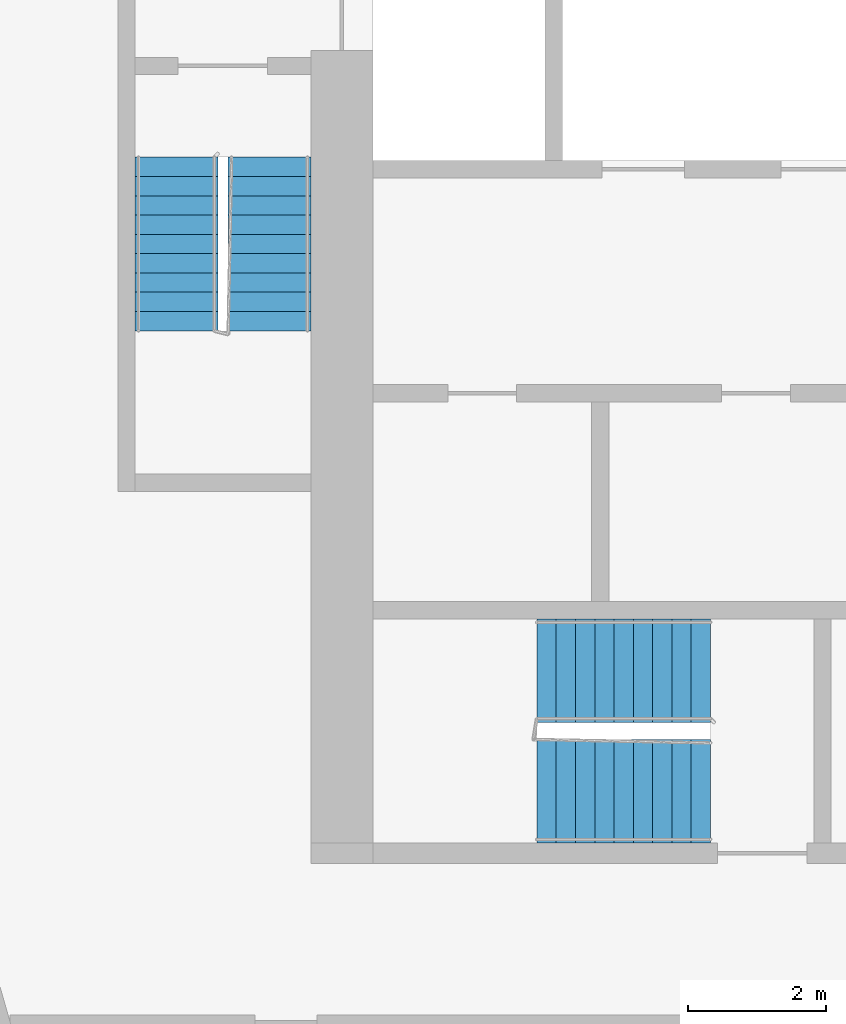
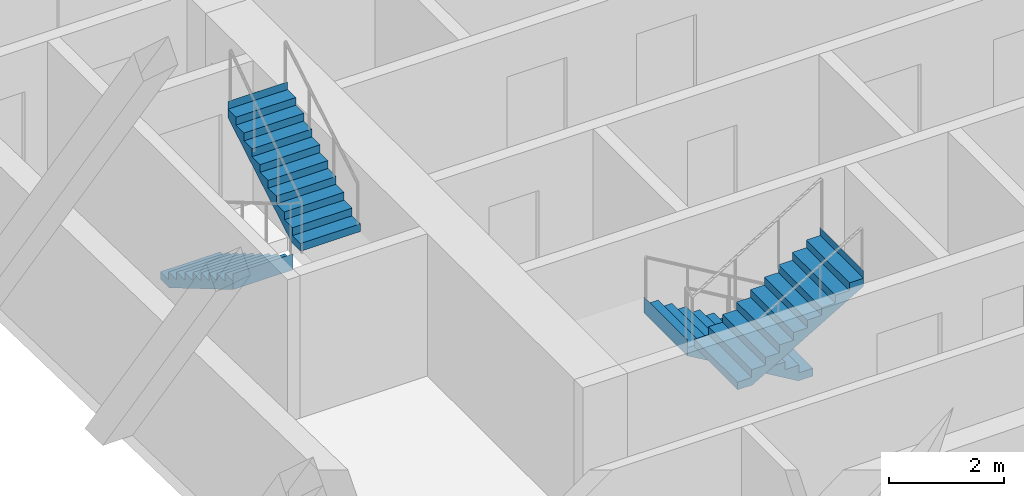
# One storey, part 8 of 12: 4 stair flights, 2 elements without a shape of their own.
"""IFC4 building model written with IfcOpenShell, lengths in metres."""

from ifc_helpers import new_model, si_unit, direction, frame, origin, place, context, subcontext, project, spatial, faceted_brep, material, type_object, element, aggregate, save


model = new_model("IFC4")

# Units and contexts
model_context = context("Model", 3, precision=1e-05, world=origin(), true_north=direction((0.0, 1.0)))
body_context = subcontext(model_context, "Body", "Model", "MODEL_VIEW")
ifc_project = project(units=[si_unit("LENGTHUNIT", "METRE"), si_unit("AREAUNIT", "SQUARE_METRE"), si_unit("VOLUMEUNIT", "CUBIC_METRE"), si_unit("PLANEANGLEUNIT", "RADIAN"), si_unit("MASSUNIT", "GRAM", prefix="KILO")], contexts=[model_context])

# Site, building, storey
site_placement = place(None, origin())
site = spatial("IfcSite", under=ifc_project, at=site_placement, CompositionType="ELEMENT")
building_placement = place(site_placement, origin())
building = spatial("IfcBuilding", under=site, at=building_placement, Name="Kajstack Hotel Tower", CompositionType="ELEMENT")
storey_placement = place(building_placement, frame((0.0, 0.0, 247.39990234375)))
storey = spatial("IfcBuildingStorey", under=building, at=storey_placement, Name="L61", CompositionType="ELEMENT", Elevation=247.39990234375)

# Stair, stair flights
ifc_material = material(Name="Concrete C40/50", Category="concrete")
stair_type_1 = type_object("IfcStairType", Name="Exit stair 1200", PredefinedType="HALF_TURN_STAIR", material=ifc_material)
stair_1_placement = place(storey_placement, origin())
stair_1 = element("IfcStair", 1, at=stair_1_placement, inside=storey, type_object=stair_type_1, Name="L61 stair W1", PredefinedType="HALF_TURN_STAIR")
stair_flight_type_1 = type_object("IfcStairFlightType", Name="Exit stair flight 1200", PredefinedType="STRAIGHT", material=ifc_material)
stair_flight_1_placement = place(storey_placement, frame((-33.449951171875, -5.25, 0.0), z_axis=(0.0, 0.0, 1.0), x_axis=(0.0, -1.0, 0.0)))
stair_flight_1 = element("IfcStairFlight", 2, at=stair_flight_1_placement, type_object=stair_flight_type_1, Name="W1 flight 1", NumberOfRisers=10, NumberOfTreads=9, PredefinedType="STRAIGHT", RiserHeight=0.165, TreadLength=0.28, context=body_context, shape_type="Brep", body=[
    faceted_brep([(0.295654296875, -0.60009765625, 0.0), (2.5205078125, -0.60009765625, 1.31103515625), (2.5205078125, -0.60009765625, 1.64990234375), (2.52001953125, -0.60009765625, 1.64990234375), (2.52001953125, -0.60009765625, 1.485107421875), (2.239990234375, -0.60009765625, 1.485107421875), (2.239990234375, -0.60009765625, 1.320068359375), (1.9599609375, -0.60009765625, 1.320068359375), (1.9599609375, -0.60009765625, 1.155029296875), (1.679931640625, -0.60009765625, 1.155029296875), (1.679931640625, -0.60009765625, 0.989990234375), (1.39990234375, -0.60009765625, 0.989990234375), (1.39990234375, -0.60009765625, 0.824951171875), (1.1201171875, -0.60009765625, 0.824951171875), (1.1201171875, -0.60009765625, 0.659912109375), (0.840087890625, -0.60009765625, 0.659912109375), (0.840087890625, -0.60009765625, 0.4951171875), (0.56005859375, -0.60009765625, 0.4951171875), (0.56005859375, -0.60009765625, 0.330078125), (0.280029296875, -0.60009765625, 0.330078125), (0.280029296875, -0.60009765625, 0.1650390625), (-0.00048828125, -0.60009765625, 0.1650390625), (-0.00048828125, -0.60009765625, 0.0), (-0.00048828125, 0.60009765625, 0.0), (-0.00048828125, 0.60009765625, 0.1650390625), (0.280029296875, 0.60009765625, 0.1650390625), (0.280029296875, 0.60009765625, 0.330078125), (0.56005859375, 0.60009765625, 0.330078125), (0.56005859375, 0.60009765625, 0.4951171875), (0.840087890625, 0.60009765625, 0.4951171875), (0.840087890625, 0.60009765625, 0.659912109375), (1.1201171875, 0.60009765625, 0.659912109375), (1.1201171875, 0.60009765625, 0.824951171875), (1.39990234375, 0.60009765625, 0.824951171875), (1.39990234375, 0.60009765625, 0.989990234375), (1.679931640625, 0.60009765625, 0.989990234375), (1.679931640625, 0.60009765625, 1.155029296875), (1.9599609375, 0.60009765625, 1.155029296875), (1.9599609375, 0.60009765625, 1.320068359375), (2.239990234375, 0.60009765625, 1.320068359375), (2.239990234375, 0.60009765625, 1.485107421875), (2.52001953125, 0.60009765625, 1.485107421875), (2.52001953125, 0.60009765625, 1.64990234375), (2.5205078125, 0.60009765625, 1.64990234375), (2.5205078125, 0.60009765625, 1.31103515625), (0.295654296875, 0.60009765625, 0.0), (-0.00048828125, -0.300048828125, 0.1650390625), (-0.00048828125, 0.0, 0.1650390625), (-0.00048828125, 0.300048828125, 0.1650390625), (-0.00048828125, 0.300048828125, 0.0), (-0.00048828125, 0.0, 0.0), (-0.00048828125, -0.300048828125, 0.0), (0.280029296875, -0.300048828125, 0.1650390625), (0.280029296875, 0.0, 0.1650390625), (0.280029296875, 0.300048828125, 0.1650390625), (0.280029296875, -0.300048828125, 0.330078125), (0.280029296875, 0.0, 0.330078125), (0.280029296875, 0.300048828125, 0.330078125), (0.56005859375, -0.300048828125, 0.330078125), (0.56005859375, 0.0, 0.330078125), (0.56005859375, 0.300048828125, 0.330078125), (0.56005859375, -0.300048828125, 0.4951171875), (0.56005859375, 0.0, 0.4951171875), (0.56005859375, 0.300048828125, 0.4951171875), (0.840087890625, -0.300048828125, 0.4951171875), (0.840087890625, 0.0, 0.4951171875), (0.840087890625, 0.300048828125, 0.4951171875), (0.840087890625, -0.300048828125, 0.659912109375), (0.840087890625, 0.0, 0.659912109375), (0.840087890625, 0.300048828125, 0.659912109375), (1.1201171875, -0.300048828125, 0.659912109375), (1.1201171875, 0.0, 0.659912109375), (1.1201171875, 0.300048828125, 0.659912109375), (1.1201171875, -0.300048828125, 0.824951171875), (1.1201171875, 0.0, 0.824951171875), (1.1201171875, 0.300048828125, 0.824951171875), (1.39990234375, -0.300048828125, 0.824951171875), (1.39990234375, 0.0, 0.824951171875), (1.39990234375, 0.300048828125, 0.824951171875), (1.39990234375, -0.300048828125, 0.989990234375), (1.39990234375, 0.0, 0.989990234375), (1.39990234375, 0.300048828125, 0.989990234375), (1.679931640625, -0.300048828125, 0.989990234375), (1.679931640625, 0.0, 0.989990234375), (1.679931640625, 0.300048828125, 0.989990234375), (1.679931640625, -0.300048828125, 1.155029296875), (1.679931640625, 0.0, 1.155029296875), (1.679931640625, 0.300048828125, 1.155029296875), (1.9599609375, -0.300048828125, 1.155029296875), (1.9599609375, 0.0, 1.155029296875), (1.9599609375, 0.300048828125, 1.155029296875), (1.9599609375, -0.300048828125, 1.320068359375), (1.9599609375, 0.0, 1.320068359375), (1.9599609375, 0.300048828125, 1.320068359375), (2.239990234375, -0.300048828125, 1.320068359375), (2.239990234375, 0.0, 1.320068359375), (2.239990234375, 0.300048828125, 1.320068359375), (2.239990234375, -0.300048828125, 1.485107421875), (2.239990234375, 0.0, 1.485107421875), (2.239990234375, 0.300048828125, 1.485107421875), (2.52001953125, -0.300048828125, 1.485107421875), (2.52001953125, 0.0, 1.485107421875), (2.52001953125, 0.300048828125, 1.485107421875), (2.52001953125, -0.300048828125, 1.64990234375), (2.52001953125, 0.0, 1.64990234375), (2.52001953125, 0.300048828125, 1.64990234375), (2.5205078125, -0.300048828125, 1.64990234375), (2.5205078125, 0.0, 1.64990234375), (2.5205078125, 0.300048828125, 1.64990234375), (2.5205078125, -0.300048828125, 1.31103515625), (2.5205078125, 0.0, 1.31103515625), (2.5205078125, 0.300048828125, 1.31103515625), (0.295654296875, -0.300048828125, 0.0), (0.295654296875, 0.0, 0.0), (0.295654296875, 0.300048828125, 0.0)], [[[0, 1, 2, 3, 4, 5, 6, 7, 8, 9, 10, 11, 12, 13, 14, 15, 16, 17, 18, 19, 20, 21, 22]], [[23, 24, 25, 26, 27, 28, 29, 30, 31, 32, 33, 34, 35, 36, 37, 38, 39, 40, 41, 42, 43, 44, 45]], [[21, 46, 47, 48, 24, 23, 49, 50, 51, 22]], [[20, 52, 53, 54, 25, 24, 48, 47, 46, 21]], [[19, 55, 56, 57, 26, 25, 54, 53, 52, 20]], [[18, 58, 59, 60, 27, 26, 57, 56, 55, 19]], [[17, 61, 62, 63, 28, 27, 60, 59, 58, 18]], [[16, 64, 65, 66, 29, 28, 63, 62, 61, 17]], [[15, 67, 68, 69, 30, 29, 66, 65, 64, 16]], [[14, 70, 71, 72, 31, 30, 69, 68, 67, 15]], [[13, 73, 74, 75, 32, 31, 72, 71, 70, 14]], [[12, 76, 77, 78, 33, 32, 75, 74, 73, 13]], [[11, 79, 80, 81, 34, 33, 78, 77, 76, 12]], [[10, 82, 83, 84, 35, 34, 81, 80, 79, 11]], [[9, 85, 86, 87, 36, 35, 84, 83, 82, 10]], [[8, 88, 89, 90, 37, 36, 87, 86, 85, 9]], [[7, 91, 92, 93, 38, 37, 90, 89, 88, 8]], [[6, 94, 95, 96, 39, 38, 93, 92, 91, 7]], [[5, 97, 98, 99, 40, 39, 96, 95, 94, 6]], [[4, 100, 101, 102, 41, 40, 99, 98, 97, 5]], [[3, 103, 104, 105, 42, 41, 102, 101, 100, 4]], [[2, 106, 107, 108, 43, 42, 105, 104, 103, 3]], [[1, 109, 110, 111, 44, 43, 108, 107, 106, 2]], [[0, 112, 113, 114, 45, 44, 111, 110, 109, 1]], [[22, 51, 50, 49, 23, 45, 114, 113, 112, 0]]]),
])
stair_flight_2_placement = place(storey_placement, frame((-32.10009765625, -7.77001953125, 1.650146484375), z_axis=(0.0, 0.0, 1.0), x_axis=(0.0, 1.0, 0.0)))
stair_flight_2 = element("IfcStairFlight", 3, at=stair_flight_2_placement, type_object=stair_flight_type_1, Name="W1 flight 2", NumberOfRisers=10, NumberOfTreads=9, PredefinedType="STRAIGHT", RiserHeight=0.165, TreadLength=0.28, context=body_context, shape_type="Brep", body=[
    faceted_brep([(0.295654296875, -0.60009765625, 0.0), (2.5205078125, -0.60009765625, 1.31103515625), (2.5205078125, -0.60009765625, 1.64990234375), (2.52001953125, -0.60009765625, 1.64990234375), (2.52001953125, -0.60009765625, 1.485107421875), (2.239990234375, -0.60009765625, 1.485107421875), (2.239990234375, -0.60009765625, 1.320068359375), (1.9599609375, -0.60009765625, 1.320068359375), (1.9599609375, -0.60009765625, 1.155029296875), (1.679931640625, -0.60009765625, 1.155029296875), (1.679931640625, -0.60009765625, 0.989990234375), (1.39990234375, -0.60009765625, 0.989990234375), (1.39990234375, -0.60009765625, 0.824951171875), (1.1201171875, -0.60009765625, 0.824951171875), (1.1201171875, -0.60009765625, 0.659912109375), (0.840087890625, -0.60009765625, 0.659912109375), (0.840087890625, -0.60009765625, 0.4951171875), (0.56005859375, -0.60009765625, 0.4951171875), (0.56005859375, -0.60009765625, 0.330078125), (0.280029296875, -0.60009765625, 0.330078125), (0.280029296875, -0.60009765625, 0.1650390625), (-0.00048828125, -0.60009765625, 0.1650390625), (-0.00048828125, -0.60009765625, 0.0), (-0.00048828125, 0.60009765625, 0.0), (-0.00048828125, 0.60009765625, 0.1650390625), (0.280029296875, 0.60009765625, 0.1650390625), (0.280029296875, 0.60009765625, 0.330078125), (0.56005859375, 0.60009765625, 0.330078125), (0.56005859375, 0.60009765625, 0.4951171875), (0.840087890625, 0.60009765625, 0.4951171875), (0.840087890625, 0.60009765625, 0.659912109375), (1.1201171875, 0.60009765625, 0.659912109375), (1.1201171875, 0.60009765625, 0.824951171875), (1.39990234375, 0.60009765625, 0.824951171875), (1.39990234375, 0.60009765625, 0.989990234375), (1.679931640625, 0.60009765625, 0.989990234375), (1.679931640625, 0.60009765625, 1.155029296875), (1.9599609375, 0.60009765625, 1.155029296875), (1.9599609375, 0.60009765625, 1.320068359375), (2.239990234375, 0.60009765625, 1.320068359375), (2.239990234375, 0.60009765625, 1.485107421875), (2.52001953125, 0.60009765625, 1.485107421875), (2.52001953125, 0.60009765625, 1.64990234375), (2.5205078125, 0.60009765625, 1.64990234375), (2.5205078125, 0.60009765625, 1.31103515625), (0.295654296875, 0.60009765625, 0.0), (-0.00048828125, -0.300048828125, 0.1650390625), (-0.00048828125, 0.0, 0.1650390625), (-0.00048828125, 0.300048828125, 0.1650390625), (-0.00048828125, 0.300048828125, 0.0), (-0.00048828125, 0.0, 0.0), (-0.00048828125, -0.300048828125, 0.0), (0.280029296875, -0.300048828125, 0.1650390625), (0.280029296875, 0.0, 0.1650390625), (0.280029296875, 0.300048828125, 0.1650390625), (0.280029296875, -0.300048828125, 0.330078125), (0.280029296875, 0.0, 0.330078125), (0.280029296875, 0.300048828125, 0.330078125), (0.56005859375, -0.300048828125, 0.330078125), (0.56005859375, 0.0, 0.330078125), (0.56005859375, 0.300048828125, 0.330078125), (0.56005859375, -0.300048828125, 0.4951171875), (0.56005859375, 0.0, 0.4951171875), (0.56005859375, 0.300048828125, 0.4951171875), (0.840087890625, -0.300048828125, 0.4951171875), (0.840087890625, 0.0, 0.4951171875), (0.840087890625, 0.300048828125, 0.4951171875), (0.840087890625, -0.300048828125, 0.659912109375), (0.840087890625, 0.0, 0.659912109375), (0.840087890625, 0.300048828125, 0.659912109375), (1.1201171875, -0.300048828125, 0.659912109375), (1.1201171875, 0.0, 0.659912109375), (1.1201171875, 0.300048828125, 0.659912109375), (1.1201171875, -0.300048828125, 0.824951171875), (1.1201171875, 0.0, 0.824951171875), (1.1201171875, 0.300048828125, 0.824951171875), (1.39990234375, -0.300048828125, 0.824951171875), (1.39990234375, 0.0, 0.824951171875), (1.39990234375, 0.300048828125, 0.824951171875), (1.39990234375, -0.300048828125, 0.989990234375), (1.39990234375, 0.0, 0.989990234375), (1.39990234375, 0.300048828125, 0.989990234375), (1.679931640625, -0.300048828125, 0.989990234375), (1.679931640625, 0.0, 0.989990234375), (1.679931640625, 0.300048828125, 0.989990234375), (1.679931640625, -0.300048828125, 1.155029296875), (1.679931640625, 0.0, 1.155029296875), (1.679931640625, 0.300048828125, 1.155029296875), (1.9599609375, -0.300048828125, 1.155029296875), (1.9599609375, 0.0, 1.155029296875), (1.9599609375, 0.300048828125, 1.155029296875), (1.9599609375, -0.300048828125, 1.320068359375), (1.9599609375, 0.0, 1.320068359375), (1.9599609375, 0.300048828125, 1.320068359375), (2.239990234375, -0.300048828125, 1.320068359375), (2.239990234375, 0.0, 1.320068359375), (2.239990234375, 0.300048828125, 1.320068359375), (2.239990234375, -0.300048828125, 1.485107421875), (2.239990234375, 0.0, 1.485107421875), (2.239990234375, 0.300048828125, 1.485107421875), (2.52001953125, -0.300048828125, 1.485107421875), (2.52001953125, 0.0, 1.485107421875), (2.52001953125, 0.300048828125, 1.485107421875), (2.52001953125, -0.300048828125, 1.64990234375), (2.52001953125, 0.0, 1.64990234375), (2.52001953125, 0.300048828125, 1.64990234375), (2.5205078125, -0.300048828125, 1.64990234375), (2.5205078125, 0.0, 1.64990234375), (2.5205078125, 0.300048828125, 1.64990234375), (2.5205078125, -0.300048828125, 1.31103515625), (2.5205078125, 0.0, 1.31103515625), (2.5205078125, 0.300048828125, 1.31103515625), (0.295654296875, -0.300048828125, 0.0), (0.295654296875, 0.0, 0.0), (0.295654296875, 0.300048828125, 0.0)], [[[0, 1, 2, 3, 4, 5, 6, 7, 8, 9, 10, 11, 12, 13, 14, 15, 16, 17, 18, 19, 20, 21, 22]], [[23, 24, 25, 26, 27, 28, 29, 30, 31, 32, 33, 34, 35, 36, 37, 38, 39, 40, 41, 42, 43, 44, 45]], [[21, 46, 47, 48, 24, 23, 49, 50, 51, 22]], [[20, 52, 53, 54, 25, 24, 48, 47, 46, 21]], [[19, 55, 56, 57, 26, 25, 54, 53, 52, 20]], [[18, 58, 59, 60, 27, 26, 57, 56, 55, 19]], [[17, 61, 62, 63, 28, 27, 60, 59, 58, 18]], [[16, 64, 65, 66, 29, 28, 63, 62, 61, 17]], [[15, 67, 68, 69, 30, 29, 66, 65, 64, 16]], [[14, 70, 71, 72, 31, 30, 69, 68, 67, 15]], [[13, 73, 74, 75, 32, 31, 72, 71, 70, 14]], [[12, 76, 77, 78, 33, 32, 75, 74, 73, 13]], [[11, 79, 80, 81, 34, 33, 78, 77, 76, 12]], [[10, 82, 83, 84, 35, 34, 81, 80, 79, 11]], [[9, 85, 86, 87, 36, 35, 84, 83, 82, 10]], [[8, 88, 89, 90, 37, 36, 87, 86, 85, 9]], [[7, 91, 92, 93, 38, 37, 90, 89, 88, 8]], [[6, 94, 95, 96, 39, 38, 93, 92, 91, 7]], [[5, 97, 98, 99, 40, 39, 96, 95, 94, 6]], [[4, 100, 101, 102, 41, 40, 99, 98, 97, 5]], [[3, 103, 104, 105, 42, 41, 102, 101, 100, 4]], [[2, 106, 107, 108, 43, 42, 105, 104, 103, 3]], [[1, 109, 110, 111, 44, 43, 108, 107, 106, 2]], [[0, 112, 113, 114, 45, 44, 111, 110, 109, 1]], [[22, 51, 50, 49, 23, 45, 114, 113, 112, 0]]]),
])
aggregate(stair_1, [stair_flight_1, stair_flight_2])

stair_type_2 = type_object("IfcStairType", Name="Exit stair 1500", PredefinedType="HALF_TURN_STAIR", material=ifc_material)
stair_2_placement = place(storey_placement, origin())
stair_2 = element("IfcStair", 4, at=stair_2_placement, inside=storey, type_object=stair_type_2, Name="L61 stair W3", PredefinedType="HALF_TURN_STAIR")
stair_flight_type_2 = type_object("IfcStairFlightType", Name="Exit stair flight 1500", PredefinedType="STRAIGHT", material=ifc_material)
stair_flight_3_placement = place(storey_placement, frame((-25.699951171875, -12.699951171875, 0.0), z_axis=(0.0, 0.0, 1.0), x_axis=(-1.0, 0.0, 0.0)))
stair_flight_3 = element("IfcStairFlight", 5, at=stair_flight_3_placement, type_object=stair_flight_type_2, Name="W3 flight 1", NumberOfRisers=10, NumberOfTreads=9, PredefinedType="STRAIGHT", RiserHeight=0.165, TreadLength=0.28, context=body_context, shape_type="Brep", body=[
    faceted_brep([(0.295654296875, -0.75, 0.0), (2.5205078125, -0.75, 1.31103515625), (2.5205078125, -0.75, 1.64990234375), (2.52001953125, -0.75, 1.64990234375), (2.52001953125, -0.75, 1.485107421875), (2.239990234375, -0.75, 1.485107421875), (2.239990234375, -0.75, 1.320068359375), (1.9599609375, -0.75, 1.320068359375), (1.9599609375, -0.75, 1.155029296875), (1.679931640625, -0.75, 1.155029296875), (1.679931640625, -0.75, 0.989990234375), (1.39990234375, -0.75, 0.989990234375), (1.39990234375, -0.75, 0.824951171875), (1.1201171875, -0.75, 0.824951171875), (1.1201171875, -0.75, 0.659912109375), (0.840087890625, -0.75, 0.659912109375), (0.840087890625, -0.75, 0.4951171875), (0.56005859375, -0.75, 0.4951171875), (0.56005859375, -0.75, 0.330078125), (0.280029296875, -0.75, 0.330078125), (0.280029296875, -0.75, 0.1650390625), (-0.00048828125, -0.75, 0.1650390625), (-0.00048828125, -0.75, 0.0), (-0.00048828125, 0.75, 0.0), (-0.00048828125, 0.75, 0.1650390625), (0.280029296875, 0.75, 0.1650390625), (0.280029296875, 0.75, 0.330078125), (0.56005859375, 0.75, 0.330078125), (0.56005859375, 0.75, 0.4951171875), (0.840087890625, 0.75, 0.4951171875), (0.840087890625, 0.75, 0.659912109375), (1.1201171875, 0.75, 0.659912109375), (1.1201171875, 0.75, 0.824951171875), (1.39990234375, 0.75, 0.824951171875), (1.39990234375, 0.75, 0.989990234375), (1.679931640625, 0.75, 0.989990234375), (1.679931640625, 0.75, 1.155029296875), (1.9599609375, 0.75, 1.155029296875), (1.9599609375, 0.75, 1.320068359375), (2.239990234375, 0.75, 1.320068359375), (2.239990234375, 0.75, 1.485107421875), (2.52001953125, 0.75, 1.485107421875), (2.52001953125, 0.75, 1.64990234375), (2.5205078125, 0.75, 1.64990234375), (2.5205078125, 0.75, 1.31103515625), (0.295654296875, 0.75, 0.0), (-0.00048828125, -0.375, 0.1650390625), (-0.00048828125, 0.0, 0.1650390625), (-0.00048828125, 0.375, 0.1650390625), (-0.00048828125, 0.375, 0.0), (-0.00048828125, 0.0, 0.0), (-0.00048828125, -0.375, 0.0), (0.280029296875, -0.375, 0.1650390625), (0.280029296875, 0.0, 0.1650390625), (0.280029296875, 0.375, 0.1650390625), (0.280029296875, -0.375, 0.330078125), (0.280029296875, 0.0, 0.330078125), (0.280029296875, 0.375, 0.330078125), (0.56005859375, -0.375, 0.330078125), (0.56005859375, 0.0, 0.330078125), (0.56005859375, 0.375, 0.330078125), (0.56005859375, -0.375, 0.4951171875), (0.56005859375, 0.0, 0.4951171875), (0.56005859375, 0.375, 0.4951171875), (0.840087890625, -0.375, 0.4951171875), (0.840087890625, 0.0, 0.4951171875), (0.840087890625, 0.375, 0.4951171875), (0.840087890625, -0.375, 0.659912109375), (0.840087890625, 0.0, 0.659912109375), (0.840087890625, 0.375, 0.659912109375), (1.1201171875, -0.375, 0.659912109375), (1.1201171875, 0.0, 0.659912109375), (1.1201171875, 0.375, 0.659912109375), (1.1201171875, -0.375, 0.824951171875), (1.1201171875, 0.0, 0.824951171875), (1.1201171875, 0.375, 0.824951171875), (1.39990234375, -0.375, 0.824951171875), (1.39990234375, 0.0, 0.824951171875), (1.39990234375, 0.375, 0.824951171875), (1.39990234375, -0.375, 0.989990234375), (1.39990234375, 0.0, 0.989990234375), (1.39990234375, 0.375, 0.989990234375), (1.679931640625, -0.375, 0.989990234375), (1.679931640625, 0.0, 0.989990234375), (1.679931640625, 0.375, 0.989990234375), (1.679931640625, -0.375, 1.155029296875), (1.679931640625, 0.0, 1.155029296875), (1.679931640625, 0.375, 1.155029296875), (1.9599609375, -0.375, 1.155029296875), (1.9599609375, 0.0, 1.155029296875), (1.9599609375, 0.375, 1.155029296875), (1.9599609375, -0.375, 1.320068359375), (1.9599609375, 0.0, 1.320068359375), (1.9599609375, 0.375, 1.320068359375), (2.239990234375, -0.375, 1.320068359375), (2.239990234375, 0.0, 1.320068359375), (2.239990234375, 0.375, 1.320068359375), (2.239990234375, -0.375, 1.485107421875), (2.239990234375, 0.0, 1.485107421875), (2.239990234375, 0.375, 1.485107421875), (2.52001953125, -0.375, 1.485107421875), (2.52001953125, 0.0, 1.485107421875), (2.52001953125, 0.375, 1.485107421875), (2.52001953125, -0.375, 1.64990234375), (2.52001953125, 0.0, 1.64990234375), (2.52001953125, 0.375, 1.64990234375), (2.5205078125, -0.375, 1.64990234375), (2.5205078125, 0.0, 1.64990234375), (2.5205078125, 0.375, 1.64990234375), (2.5205078125, -0.375, 1.31103515625), (2.5205078125, 0.0, 1.31103515625), (2.5205078125, 0.375, 1.31103515625), (0.295654296875, -0.375, 0.0), (0.295654296875, 0.0, 0.0), (0.295654296875, 0.375, 0.0)], [[[0, 1, 2, 3, 4, 5, 6, 7, 8, 9, 10, 11, 12, 13, 14, 15, 16, 17, 18, 19, 20, 21, 22]], [[23, 24, 25, 26, 27, 28, 29, 30, 31, 32, 33, 34, 35, 36, 37, 38, 39, 40, 41, 42, 43, 44, 45]], [[21, 46, 47, 48, 24, 23, 49, 50, 51, 22]], [[20, 52, 53, 54, 25, 24, 48, 47, 46, 21]], [[19, 55, 56, 57, 26, 25, 54, 53, 52, 20]], [[18, 58, 59, 60, 27, 26, 57, 56, 55, 19]], [[17, 61, 62, 63, 28, 27, 60, 59, 58, 18]], [[16, 64, 65, 66, 29, 28, 63, 62, 61, 17]], [[15, 67, 68, 69, 30, 29, 66, 65, 64, 16]], [[14, 70, 71, 72, 31, 30, 69, 68, 67, 15]], [[13, 73, 74, 75, 32, 31, 72, 71, 70, 14]], [[12, 76, 77, 78, 33, 32, 75, 74, 73, 13]], [[11, 79, 80, 81, 34, 33, 78, 77, 76, 12]], [[10, 82, 83, 84, 35, 34, 81, 80, 79, 11]], [[9, 85, 86, 87, 36, 35, 84, 83, 82, 10]], [[8, 88, 89, 90, 37, 36, 87, 86, 85, 9]], [[7, 91, 92, 93, 38, 37, 90, 89, 88, 8]], [[6, 94, 95, 96, 39, 38, 93, 92, 91, 7]], [[5, 97, 98, 99, 40, 39, 96, 95, 94, 6]], [[4, 100, 101, 102, 41, 40, 99, 98, 97, 5]], [[3, 103, 104, 105, 42, 41, 102, 101, 100, 4]], [[2, 106, 107, 108, 43, 42, 105, 104, 103, 3]], [[1, 109, 110, 111, 44, 43, 108, 107, 106, 2]], [[0, 112, 113, 114, 45, 44, 111, 110, 109, 1]], [[22, 51, 50, 49, 23, 45, 114, 113, 112, 0]]]),
])
stair_flight_4_placement = place(storey_placement, frame((-28.219970703125, -14.449951171875, 1.650146484375), z_axis=(0.0, 0.0, 1.0), x_axis=(1.0, 0.0, 0.0)))
stair_flight_4 = element("IfcStairFlight", 6, at=stair_flight_4_placement, type_object=stair_flight_type_2, Name="W3 flight 2", NumberOfRisers=10, NumberOfTreads=9, PredefinedType="STRAIGHT", RiserHeight=0.165, TreadLength=0.28, context=body_context, shape_type="Brep", body=[
    faceted_brep([(0.295654296875, -0.75, 0.0), (2.5205078125, -0.75, 1.31103515625), (2.5205078125, -0.75, 1.64990234375), (2.52001953125, -0.75, 1.64990234375), (2.52001953125, -0.75, 1.485107421875), (2.239990234375, -0.75, 1.485107421875), (2.239990234375, -0.75, 1.320068359375), (1.9599609375, -0.75, 1.320068359375), (1.9599609375, -0.75, 1.155029296875), (1.679931640625, -0.75, 1.155029296875), (1.679931640625, -0.75, 0.989990234375), (1.39990234375, -0.75, 0.989990234375), (1.39990234375, -0.75, 0.824951171875), (1.1201171875, -0.75, 0.824951171875), (1.1201171875, -0.75, 0.659912109375), (0.840087890625, -0.75, 0.659912109375), (0.840087890625, -0.75, 0.4951171875), (0.56005859375, -0.75, 0.4951171875), (0.56005859375, -0.75, 0.330078125), (0.280029296875, -0.75, 0.330078125), (0.280029296875, -0.75, 0.1650390625), (-0.00048828125, -0.75, 0.1650390625), (-0.00048828125, -0.75, 0.0), (-0.00048828125, 0.75, 0.0), (-0.00048828125, 0.75, 0.1650390625), (0.280029296875, 0.75, 0.1650390625), (0.280029296875, 0.75, 0.330078125), (0.56005859375, 0.75, 0.330078125), (0.56005859375, 0.75, 0.4951171875), (0.840087890625, 0.75, 0.4951171875), (0.840087890625, 0.75, 0.659912109375), (1.1201171875, 0.75, 0.659912109375), (1.1201171875, 0.75, 0.824951171875), (1.39990234375, 0.75, 0.824951171875), (1.39990234375, 0.75, 0.989990234375), (1.679931640625, 0.75, 0.989990234375), (1.679931640625, 0.75, 1.155029296875), (1.9599609375, 0.75, 1.155029296875), (1.9599609375, 0.75, 1.320068359375), (2.239990234375, 0.75, 1.320068359375), (2.239990234375, 0.75, 1.485107421875), (2.52001953125, 0.75, 1.485107421875), (2.52001953125, 0.75, 1.64990234375), (2.5205078125, 0.75, 1.64990234375), (2.5205078125, 0.75, 1.31103515625), (0.295654296875, 0.75, 0.0), (-0.00048828125, -0.375, 0.1650390625), (-0.00048828125, 0.0, 0.1650390625), (-0.00048828125, 0.375, 0.1650390625), (-0.00048828125, 0.375, 0.0), (-0.00048828125, 0.0, 0.0), (-0.00048828125, -0.375, 0.0), (0.280029296875, -0.375, 0.1650390625), (0.280029296875, 0.0, 0.1650390625), (0.280029296875, 0.375, 0.1650390625), (0.280029296875, -0.375, 0.330078125), (0.280029296875, 0.0, 0.330078125), (0.280029296875, 0.375, 0.330078125), (0.56005859375, -0.375, 0.330078125), (0.56005859375, 0.0, 0.330078125), (0.56005859375, 0.375, 0.330078125), (0.56005859375, -0.375, 0.4951171875), (0.56005859375, 0.0, 0.4951171875), (0.56005859375, 0.375, 0.4951171875), (0.840087890625, -0.375, 0.4951171875), (0.840087890625, 0.0, 0.4951171875), (0.840087890625, 0.375, 0.4951171875), (0.840087890625, -0.375, 0.659912109375), (0.840087890625, 0.0, 0.659912109375), (0.840087890625, 0.375, 0.659912109375), (1.1201171875, -0.375, 0.659912109375), (1.1201171875, 0.0, 0.659912109375), (1.1201171875, 0.375, 0.659912109375), (1.1201171875, -0.375, 0.824951171875), (1.1201171875, 0.0, 0.824951171875), (1.1201171875, 0.375, 0.824951171875), (1.39990234375, -0.375, 0.824951171875), (1.39990234375, 0.0, 0.824951171875), (1.39990234375, 0.375, 0.824951171875), (1.39990234375, -0.375, 0.989990234375), (1.39990234375, 0.0, 0.989990234375), (1.39990234375, 0.375, 0.989990234375), (1.679931640625, -0.375, 0.989990234375), (1.679931640625, 0.0, 0.989990234375), (1.679931640625, 0.375, 0.989990234375), (1.679931640625, -0.375, 1.155029296875), (1.679931640625, 0.0, 1.155029296875), (1.679931640625, 0.375, 1.155029296875), (1.9599609375, -0.375, 1.155029296875), (1.9599609375, 0.0, 1.155029296875), (1.9599609375, 0.375, 1.155029296875), (1.9599609375, -0.375, 1.320068359375), (1.9599609375, 0.0, 1.320068359375), (1.9599609375, 0.375, 1.320068359375), (2.239990234375, -0.375, 1.320068359375), (2.239990234375, 0.0, 1.320068359375), (2.239990234375, 0.375, 1.320068359375), (2.239990234375, -0.375, 1.485107421875), (2.239990234375, 0.0, 1.485107421875), (2.239990234375, 0.375, 1.485107421875), (2.52001953125, -0.375, 1.485107421875), (2.52001953125, 0.0, 1.485107421875), (2.52001953125, 0.375, 1.485107421875), (2.52001953125, -0.375, 1.64990234375), (2.52001953125, 0.0, 1.64990234375), (2.52001953125, 0.375, 1.64990234375), (2.5205078125, -0.375, 1.64990234375), (2.5205078125, 0.0, 1.64990234375), (2.5205078125, 0.375, 1.64990234375), (2.5205078125, -0.375, 1.31103515625), (2.5205078125, 0.0, 1.31103515625), (2.5205078125, 0.375, 1.31103515625), (0.295654296875, -0.375, 0.0), (0.295654296875, 0.0, 0.0), (0.295654296875, 0.375, 0.0)], [[[0, 1, 2, 3, 4, 5, 6, 7, 8, 9, 10, 11, 12, 13, 14, 15, 16, 17, 18, 19, 20, 21, 22]], [[23, 24, 25, 26, 27, 28, 29, 30, 31, 32, 33, 34, 35, 36, 37, 38, 39, 40, 41, 42, 43, 44, 45]], [[21, 46, 47, 48, 24, 23, 49, 50, 51, 22]], [[20, 52, 53, 54, 25, 24, 48, 47, 46, 21]], [[19, 55, 56, 57, 26, 25, 54, 53, 52, 20]], [[18, 58, 59, 60, 27, 26, 57, 56, 55, 19]], [[17, 61, 62, 63, 28, 27, 60, 59, 58, 18]], [[16, 64, 65, 66, 29, 28, 63, 62, 61, 17]], [[15, 67, 68, 69, 30, 29, 66, 65, 64, 16]], [[14, 70, 71, 72, 31, 30, 69, 68, 67, 15]], [[13, 73, 74, 75, 32, 31, 72, 71, 70, 14]], [[12, 76, 77, 78, 33, 32, 75, 74, 73, 13]], [[11, 79, 80, 81, 34, 33, 78, 77, 76, 12]], [[10, 82, 83, 84, 35, 34, 81, 80, 79, 11]], [[9, 85, 86, 87, 36, 35, 84, 83, 82, 10]], [[8, 88, 89, 90, 37, 36, 87, 86, 85, 9]], [[7, 91, 92, 93, 38, 37, 90, 89, 88, 8]], [[6, 94, 95, 96, 39, 38, 93, 92, 91, 7]], [[5, 97, 98, 99, 40, 39, 96, 95, 94, 6]], [[4, 100, 101, 102, 41, 40, 99, 98, 97, 5]], [[3, 103, 104, 105, 42, 41, 102, 101, 100, 4]], [[2, 106, 107, 108, 43, 42, 105, 104, 103, 3]], [[1, 109, 110, 111, 44, 43, 108, 107, 106, 2]], [[0, 112, 113, 114, 45, 44, 111, 110, 109, 1]], [[22, 51, 50, 49, 23, 45, 114, 113, 112, 0]]]),
])
aggregate(stair_2, [stair_flight_3, stair_flight_4])

save(model, "model.ifc")
